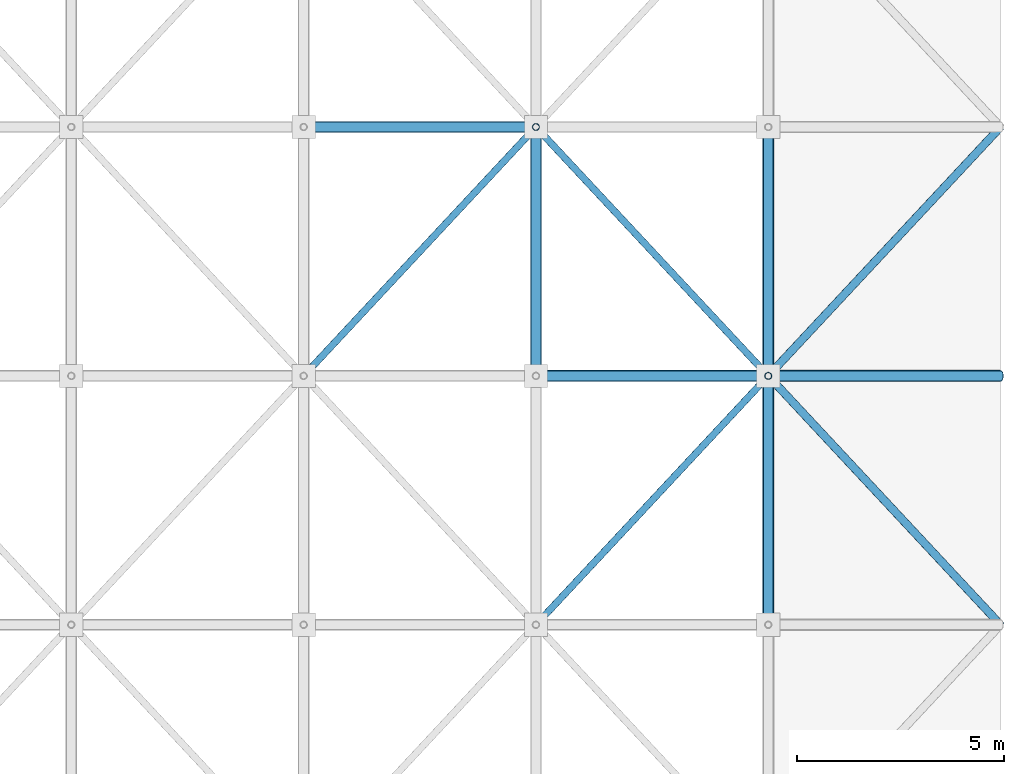
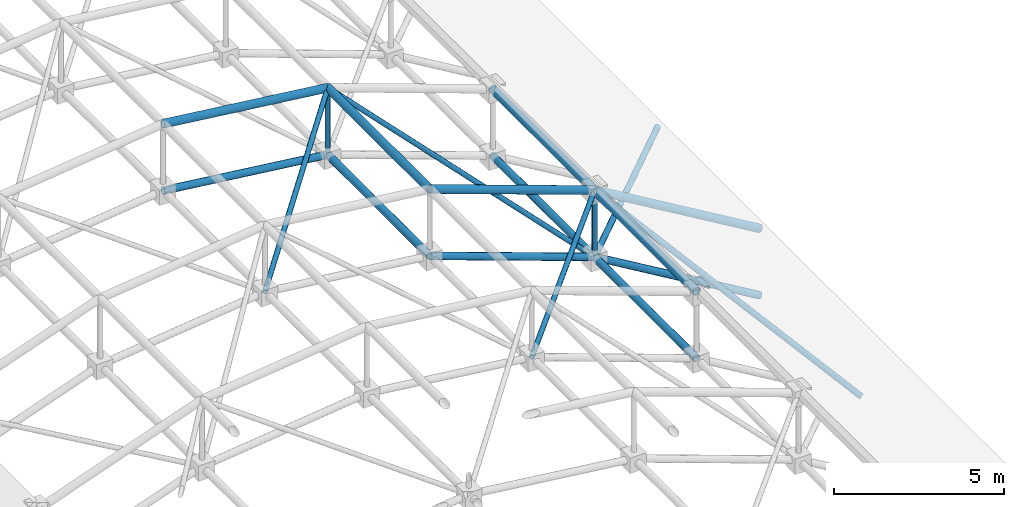
# One storey, part 90 of 140: 19 members.
"""IFC4 building model written with IfcOpenShell, lengths in metres."""

from ifc_helpers import new_model, si_unit, direction, frame, origin, origin_2d, place, context, subcontext, project, spatial, hollow_circle, extrude, material, material_profile, profile_set, type_object, element, save


model = new_model("IFC4")

# Units and contexts
model_context = context("Model", 3, precision=1e-05, world=origin(), true_north=direction((0.0, 1.0)))
body_context = subcontext(model_context, "Body", "Model", "MODEL_VIEW")
ifc_project = project(units=[si_unit("LENGTHUNIT", "METRE"), si_unit("AREAUNIT", "SQUARE_METRE"), si_unit("VOLUMEUNIT", "CUBIC_METRE"), si_unit("PLANEANGLEUNIT", "RADIAN"), si_unit("MASSUNIT", "GRAM", prefix="KILO")], contexts=[model_context])

# Site, building, storey
site_placement = place(None, origin())
site = spatial("IfcSite", under=ifc_project, at=site_placement, CompositionType="ELEMENT")
building_placement = place(site_placement, origin())
building = spatial("IfcBuilding", under=site, at=building_placement, Name="Trelvath General Hospital", CompositionType="ELEMENT")
storey_placement = place(building_placement, frame((0.0, 0.0, 16.199951171875)))
storey = spatial("IfcBuildingStorey", under=building, at=storey_placement, Name="L04", CompositionType="ELEMENT", Elevation=16.199951171875)

# Members
ifc_material_1 = material(Name="Steel S355", Category="steel")
ifc_material_profile_1 = material_profile(ifc_material_1, hollow_circle(Radius=0.122314453125, WallThickness=0.010009765625, at=origin_2d()), Name="CHS244.5x10.0")
ifc_profile_set_1 = profile_set([ifc_material_profile_1], Name="Steel S355")
member_type_1 = type_object("IfcMemberType", Name="SpaceFrameBottomChord CHS244", PredefinedType="CHORD", material=ifc_profile_set_1)
member_1_placement = place(storey_placement, frame((159.60009765625, 49.199951171875, 2.699951171875), z_axis=(0.992991298752, 0.0, -0.118187480734), x_axis=(0.0, 1.0, 0.0)))
element("IfcMember", 1, at=member_1_placement, inside=storey, type_object=member_type_1, Name="Space Frame Bottom Chord X 4-5", PredefinedType="CHORD", context=body_context, shape_type="SweptSolid", body=[
    extrude(hollow_circle(Radius=0.122314453125, WallThickness=0.010009765625, at=origin_2d()), origin(), (0.0, 0.0, 1.0), 5.639404296875),
])
member_2_placement = place(storey_placement, frame((165.199951171875, 43.199951171875, 2.033447265625), z_axis=(0.94174376932, 0.0, -0.336331195321), x_axis=(0.0, 1.0, 0.0)))
element("IfcMember", 2, at=member_2_placement, inside=storey, type_object=member_type_1, Name="Space Frame Bottom Chord X 5-4", PredefinedType="CHORD", context=body_context, shape_type="SweptSolid", body=[
    extrude(hollow_circle(Radius=0.122314453125, WallThickness=0.010009765625, at=origin_2d()), origin(), (0.0, 0.0, 1.0), 5.946533203125),
])
for number, where, z_axis, x_axis, name in (
    (3, (165.199951171875, 43.199951171875, 2.033447265625), (0.0, 1.0, 0.0), (-1.0, 0.0, 0.0), "Space Frame Bottom Chord Y 5-4"),
    (4, (170.800048828125, 37.199951171875, 0.033447265625), (0.0, 1.0, 0.0), (-1.0, 0.0, 0.0), "Space Frame Bottom Chord Y 6-3"),
):
    element("IfcMember", number, at=place(storey_placement, frame(where, z_axis=z_axis, x_axis=x_axis)), inside=storey, type_object=member_type_1, Name=name, PredefinedType="CHORD", context=body_context, shape_type="SweptSolid", body=[
        extrude(hollow_circle(Radius=0.122314453125, WallThickness=0.010009765625, at=origin_2d()), origin(), (0.0, 0.0, 1.0), 6.0),
    ])
member_3_placement = place(storey_placement, frame((170.800048828125, 43.199951171875, 0.033447265625), z_axis=(0.859276026628, 0.0, -0.511512179779), x_axis=(0.0, 1.0, 0.0)))
element("IfcMember", 5, at=member_3_placement, inside=storey, type_object=member_type_1, Name="Space Frame Bottom Chord X 6-4", PredefinedType="CHORD", context=body_context, shape_type="SweptSolid", body=[
    extrude(hollow_circle(Radius=0.122314453125, WallThickness=0.010009765625, at=origin_2d()), origin(), (0.0, 0.0, 1.0), 6.516845703125),
])
member_4_placement = place(storey_placement, frame((170.800048828125, 43.199951171875, 0.033447265625), z_axis=(0.0, 1.0, 0.0), x_axis=(-1.0, 0.0, 0.0)))
element("IfcMember", 6, at=member_4_placement, inside=storey, type_object=member_type_1, Name="Space Frame Bottom Chord Y 6-4", PredefinedType="CHORD", context=body_context, shape_type="SweptSolid", body=[
    extrude(hollow_circle(Radius=0.122314453125, WallThickness=0.010009765625, at=origin_2d()), origin(), (0.0, 0.0, 1.0), 6.0),
])
ifc_material_2 = material(Name="Steel S355", Category="steel")
ifc_material_profile_2 = material_profile(ifc_material_2, hollow_circle(Radius=0.096923828125, WallThickness=0.008056640625, at=origin_2d()), Name="CHS193.7x8.0")
ifc_profile_set_2 = profile_set([ifc_material_profile_2], Name="Steel S355")
member_type_2 = type_object("IfcMemberType", Name="SpaceFrameDiagHeavy CHS193", PredefinedType="BRACE", material=ifc_profile_set_2)
member_5_placement = place(storey_placement, frame((176.39990234375, 37.199951171875, -3.300048828125), z_axis=(-0.559341871551, 0.599310539095, 0.572681018071), x_axis=(-0.731064171106, -0.682308711453, 0.0)))
element("IfcMember", 7, at=member_5_placement, inside=storey, type_object=member_type_2, Name="Space Frame Web Diagonal B 6-3", PredefinedType="BRACE", context=body_context, shape_type="SweptSolid", body=[
    extrude(hollow_circle(Radius=0.096923828125, WallThickness=0.008056640625, at=origin_2d()), origin(), (0.0, 0.0, 1.0), 10.011474609375),
])
member_6_placement = place(storey_placement, frame((170.800048828125, 43.199951171875, 0.033447265625), z_axis=(0.677938923544, 0.726382133017, -0.112994746685), x_axis=(-0.731064171106, 0.682308711453, 0.0)))
element("IfcMember", 8, at=member_6_placement, inside=storey, type_object=member_type_2, Name="Space Frame Web Diagonal A 6-4", PredefinedType="BRACE", context=body_context, shape_type="SweptSolid", body=[
    extrude(hollow_circle(Radius=0.096923828125, WallThickness=0.008056640625, at=origin_2d()), origin(), (0.0, 0.0, 1.0), 8.260009765625),
])
ifc_material_3 = material(Name="Steel S355", Category="steel")
ifc_material_profile_3 = material_profile(ifc_material_3, hollow_circle(Radius=0.084228515625, WallThickness=0.008056640625, at=origin_2d()), Name="CHS168.3x8.0")
ifc_profile_set_3 = profile_set([ifc_material_profile_3], Name="Steel S355")
member_type_3 = type_object("IfcMemberType", Name="SpaceFrameDiagStd CHS168", PredefinedType="BRACE", material=ifc_profile_set_3)
member_7_placement = place(storey_placement, frame((159.60009765625, 43.199951171875, 2.699951171875), z_axis=(0.667581666854, 0.715284781994, 0.206645587246), x_axis=(-0.731064171106, 0.682308711453, 0.0)))
element("IfcMember", 9, at=member_7_placement, inside=storey, type_object=member_type_3, Name="Space Frame Web Diagonal A 4-4", PredefinedType="BRACE", context=body_context, shape_type="SweptSolid", body=[
    extrude(hollow_circle(Radius=0.084228515625, WallThickness=0.008056640625, at=origin_2d()), origin(), (0.0, 0.0, 1.0), 8.38818359375),
])
member_8_placement = place(storey_placement, frame((165.199951171875, 37.199951171875, 2.033447265625), z_axis=(0.681516095791, 0.730183083536, 0.048666987745), x_axis=(-0.731049333052, 0.682324609438, 0.0)))
element("IfcMember", 10, at=member_8_placement, inside=storey, type_object=member_type_3, Name="Space Frame Web Diagonal A 5-3", PredefinedType="BRACE", context=body_context, shape_type="SweptSolid", body=[
    extrude(hollow_circle(Radius=0.084228515625, WallThickness=0.008056640625, at=origin_2d()), origin(), (0.0, 0.0, 1.0), 8.217041015625),
])
member_9_placement = place(storey_placement, frame((170.800048828125, 43.199951171875, 0.033447265625), z_axis=(-0.601361165456, 0.644304298642, 0.472479332281), x_axis=(-0.731049333052, -0.682324609438, 0.0)))
element("IfcMember", 11, at=member_9_placement, inside=storey, type_object=member_type_3, Name="Space Frame Web Diagonal B 5-4", PredefinedType="BRACE", context=body_context, shape_type="SweptSolid", body=[
    extrude(hollow_circle(Radius=0.084228515625, WallThickness=0.008056640625, at=origin_2d()), origin(), (0.0, 0.0, 1.0), 9.312255859375),
])
for number, where, z_axis, x_axis, name in (
    (12, (165.199951171875, 49.199951171875, 2.033447265625), (0.0, 0.0, 1.0), (1.0, 0.0, 0.0), "Space Frame Web Post 5-5"),
    (13, (170.800048828125, 43.199951171875, 0.033447265625), (0.0, 0.0, 1.0), (1.0, 0.0, 0.0), "Space Frame Web Post 6-4"),
):
    element("IfcMember", number, at=place(storey_placement, frame(where, z_axis=z_axis, x_axis=x_axis)), inside=storey, type_object=member_type_3, Name=name, PredefinedType="BRACE", context=body_context, shape_type="SweptSolid", body=[
        extrude(hollow_circle(Radius=0.084228515625, WallThickness=0.008056640625, at=origin_2d()), origin(), (0.0, 0.0, 1.0), 2.39990234375),
    ])
ifc_material_4 = material(Name="Steel S355", Category="steel")
ifc_material_profile_4 = material_profile(ifc_material_4, hollow_circle(Radius=0.136474609375, WallThickness=0.012451171875, at=origin_2d()), Name="CHS273.0x12.5")
ifc_profile_set_4 = profile_set([ifc_material_profile_4], Name="Steel S355")
member_type_4 = type_object("IfcMemberType", Name="SpaceFrameTopChord CHS273", PredefinedType="CHORD", material=ifc_profile_set_4)
member_10_placement = place(storey_placement, frame((159.60009765625, 49.199951171875, 5.10009765625), z_axis=(0.992986217135, 0.0, -0.118230167807), x_axis=(0.0, 1.0, 0.0)))
element("IfcMember", 14, at=member_10_placement, inside=storey, type_object=member_type_4, Name="Space Frame Top Chord X 4-5", PredefinedType="CHORD", context=body_context, shape_type="SweptSolid", body=[
    extrude(hollow_circle(Radius=0.136474609375, WallThickness=0.012451171875, at=origin_2d()), origin(), (0.0, 0.0, 1.0), 5.639404296875),
])
member_11_placement = place(storey_placement, frame((165.199951171875, 43.199951171875, 4.433349609375), z_axis=(0.94174376932, 0.0, -0.336331195321), x_axis=(0.0, 1.0, 0.0)))
element("IfcMember", 15, at=member_11_placement, inside=storey, type_object=member_type_4, Name="Space Frame Top Chord X 5-4", PredefinedType="CHORD", context=body_context, shape_type="SweptSolid", body=[
    extrude(hollow_circle(Radius=0.136474609375, WallThickness=0.012451171875, at=origin_2d()), origin(), (0.0, 0.0, 1.0), 5.946533203125),
])
for number, where, z_axis, x_axis, name in (
    (16, (165.199951171875, 43.199951171875, 4.433349609375), (0.0, 1.0, 0.0), (-1.0, 0.0, 0.0), "Space Frame Top Chord Y 5-4"),
    (17, (170.800048828125, 37.199951171875, 2.433349609375), (0.0, 1.0, 0.0), (-1.0, 0.0, 0.0), "Space Frame Top Chord Y 6-3"),
):
    element("IfcMember", number, at=place(storey_placement, frame(where, z_axis=z_axis, x_axis=x_axis)), inside=storey, type_object=member_type_4, Name=name, PredefinedType="CHORD", context=body_context, shape_type="SweptSolid", body=[
        extrude(hollow_circle(Radius=0.136474609375, WallThickness=0.012451171875, at=origin_2d()), origin(), (0.0, 0.0, 1.0), 6.0),
    ])
member_12_placement = place(storey_placement, frame((170.800048828125, 43.199951171875, 2.433349609375), z_axis=(0.859292492371, 0.0, -0.511484518392), x_axis=(0.0, 1.0, 0.0)))
element("IfcMember", 18, at=member_12_placement, inside=storey, type_object=member_type_4, Name="Space Frame Top Chord X 6-4", PredefinedType="CHORD", context=body_context, shape_type="SweptSolid", body=[
    extrude(hollow_circle(Radius=0.136474609375, WallThickness=0.012451171875, at=origin_2d()), origin(), (0.0, 0.0, 1.0), 6.516845703125),
])
member_13_placement = place(storey_placement, frame((170.800048828125, 43.199951171875, 2.433349609375), z_axis=(0.0, 1.0, 0.0), x_axis=(-1.0, 0.0, 0.0)))
element("IfcMember", 19, at=member_13_placement, inside=storey, type_object=member_type_4, Name="Space Frame Top Chord Y 6-4", PredefinedType="CHORD", context=body_context, shape_type="SweptSolid", body=[
    extrude(hollow_circle(Radius=0.136474609375, WallThickness=0.012451171875, at=origin_2d()), origin(), (0.0, 0.0, 1.0), 6.0),
])

save(model, "model.ifc")
